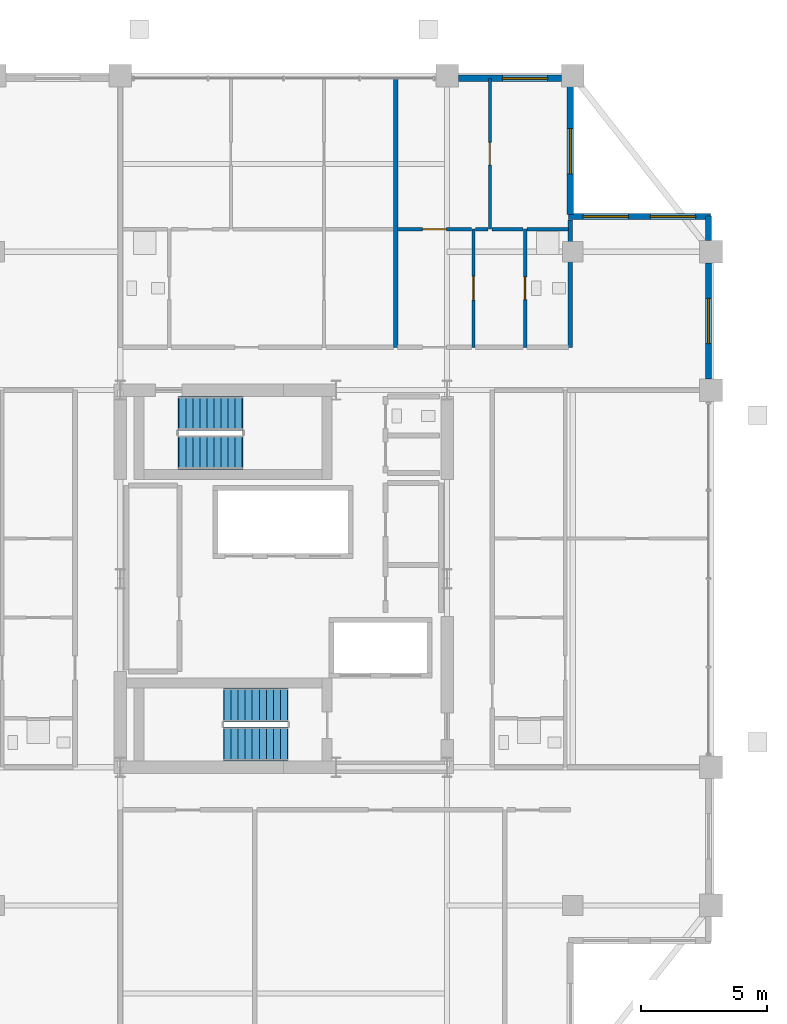
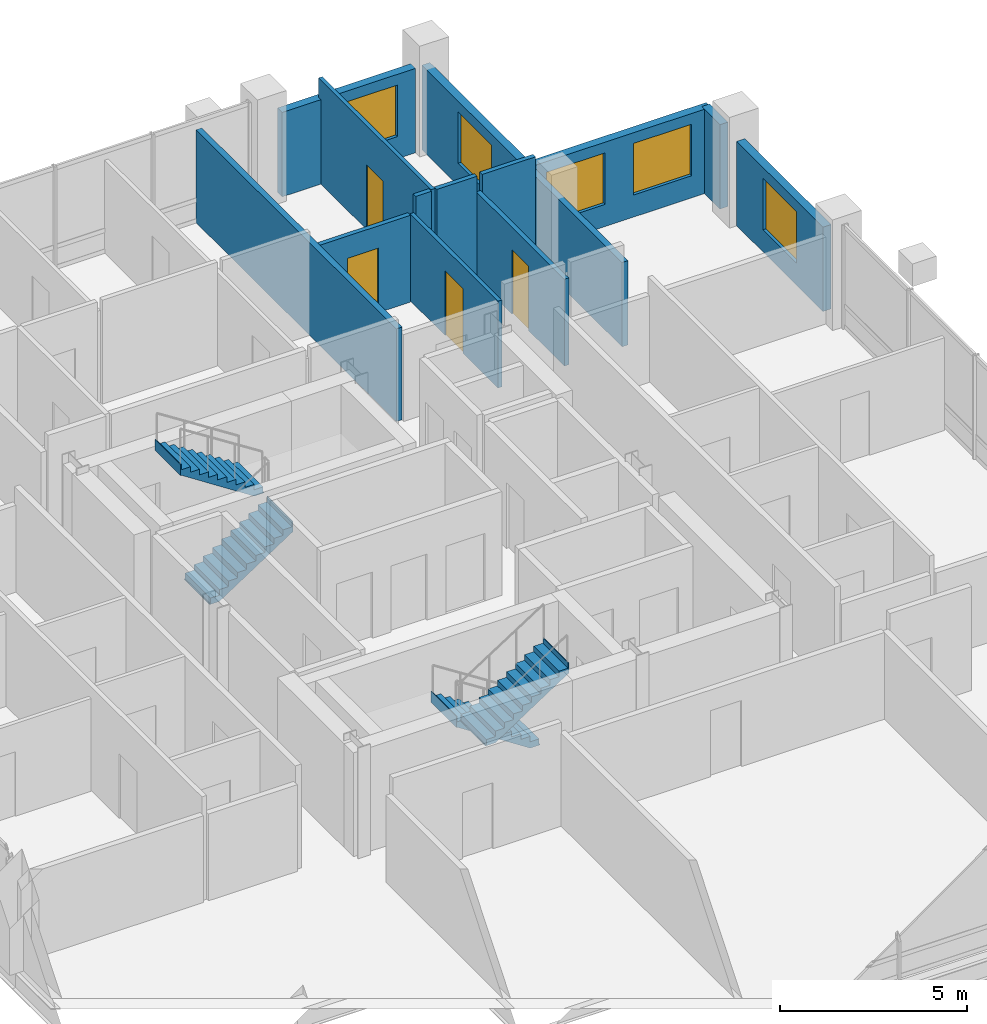
# One storey, part 19 of 21: 14 walls, 5 windows, 4 doors, 4 stair flights, 9 openings, 2 elements without a shape of their own.
"""IFC4 building model written with IfcOpenShell, lengths in metres."""

from ifc_helpers import new_model, si_unit, direction, frame, frame_2d, origin, place, context, subcontext, project, spatial, polyline, rectangle, outline, extrude, material, layer, layer_set, type_object, element, fill, aggregate, save


model = new_model("IFC4")

# Units and contexts
model_context = context("Model", 3, precision=1e-05, world=origin(), true_north=direction((0.0, 1.0)))
body_context = subcontext(model_context, "Body", "Model", "MODEL_VIEW")
ifc_project = project(units=[si_unit("LENGTHUNIT", "METRE"), si_unit("AREAUNIT", "SQUARE_METRE"), si_unit("VOLUMEUNIT", "CUBIC_METRE"), si_unit("PLANEANGLEUNIT", "RADIAN"), si_unit("MASSUNIT", "GRAM", prefix="KILO")], contexts=[model_context])

# Site, building, storey
site_placement = place(None, origin())
site = spatial("IfcSite", under=ifc_project, at=site_placement, CompositionType="ELEMENT")
building_placement = place(site_placement, origin())
building = spatial("IfcBuilding", under=site, at=building_placement, Name="Barlavira Tower and Art Museum", CompositionType="ELEMENT")
storey_placement = place(building_placement, frame((0.0, 0.0, 254.699951171875)))
storey = spatial("IfcBuildingStorey", under=building, at=storey_placement, Name="L66", CompositionType="ELEMENT", Elevation=254.699951171875)

# Wall, opening, door
ifc_material_1 = material(Name="Gypsum acoustic stud partition", Category="gypsum")
ifc_layer_1 = layer(ifc_material_1, 0.1201171875, Name="Gypsum acoustic stud partition")
ifc_layer_set_1 = layer_set([ifc_layer_1], Name="Gypsum acoustic stud partition")
wall_type_1 = type_object("IfcWallType", Name="Apartment Internal Acoustic Partition 120", PredefinedType="PARTITIONING", material=ifc_layer_set_1)
wall_1_placement = place(storey_placement, frame((7.550048828125, 9.199951171875, 0.0), z_axis=(0.0, 0.0, 1.0), x_axis=(0.0, 1.0, 0.0)))
wall_1 = element("IfcWall", 1, at=wall_1_placement, inside=storey, type_object=wall_type_1, Name="L66 Partition Wall 15", PredefinedType="PARTITIONING", context=body_context, shape_type="SweptSolid", body=[
    extrude(rectangle(XDim=4.699951171875, YDim=0.1201171875, at=frame_2d((2.35009765625, 0.0))), origin(), (0.0, 0.0, 1.0), 2.825927734375),
])
opening_1_placement = place(wall_1_placement, frame((1.875, 0.0, 0.0)))
opening_1 = element("IfcOpeningElement", 2, at=opening_1_placement, cuts=wall_1, Name="Opening D-02", PredefinedType="OPENING", context=body_context, shape_type="SweptSolid", body=[
    extrude(rectangle(XDim=0.949951171875, YDim=2.10009765625, at=frame_2d((0.47509765625, 1.050048828125))), frame((0.0, 0.070068359375, 0.0), z_axis=(0.0, -1.0, 0.0), x_axis=(1.0, 0.0, 0.0)), (0.0, 0.0, 1.0), 0.14013671875),
])
ifc_material_2 = material(Name="Engineered coastal hardwood", Category="wood")
door_type_1 = type_object("IfcDoorType", Name="Living and Salon Glazed-Leaf Door 950x2100", OperationType="NOTDEFINED", PredefinedType="DOOR", material=ifc_material_2)
door_1_placement = place(opening_1_placement, origin())
door_1 = element("IfcDoor", 3, at=door_1_placement, inside=storey, type_object=door_type_1, Name="Apartment N2 Kitchen Door", OperationType="SINGLE_SWING_LEFT", OverallHeight=2.10009765625, OverallWidth=0.949951171875, PredefinedType="DOOR", context=body_context, shape_type="SweptSolid", body=[
    extrude(rectangle(XDim=0.949951171875, YDim=2.10009765625, at=frame_2d((0.47509765625, 1.050048828125))), frame((0.0, 0.02490234375, 0.0), z_axis=(0.0, -1.0, 0.0), x_axis=(1.0, 0.0, 0.0)), (0.0, 0.0, 1.0), 0.050048828125),
])
fill(opening_1, door_1)

wall_2_placement = place(storey_placement, frame((8.199951171875, 13.89990234375, 0.0), z_axis=(0.0, 0.0, 1.0), x_axis=(0.0, 1.0, 0.0)))
wall_2 = element("IfcWall", 4, at=wall_2_placement, inside=storey, type_object=wall_type_1, Name="L66 Partition Wall 16", PredefinedType="PARTITIONING", context=body_context, shape_type="SweptSolid", body=[
    extrude(rectangle(XDim=6.0, YDim=0.1201171875, at=frame_2d((3.0, 0.0))), origin(), (0.0, 0.0, 1.0), 3.380126953125),
])
opening_2_placement = place(wall_2_placement, frame((2.550048828125, 0.0, 0.0)))
opening_2 = element("IfcOpeningElement", 5, at=opening_2_placement, cuts=wall_2, Name="Opening D-01", PredefinedType="OPENING", context=body_context, shape_type="SweptSolid", body=[
    extrude(rectangle(XDim=0.89990234375, YDim=2.10009765625, at=frame_2d((0.449951171875, 1.050048828125))), frame((0.0, 0.070068359375, 0.0), z_axis=(0.0, -1.0, 0.0), x_axis=(1.0, 0.0, 0.0)), (0.0, 0.0, 1.0), 0.14013671875),
])
door_type_2 = type_object("IfcDoorType", Name="Internal Bedroom Timber Flush Door 900x2100", OperationType="NOTDEFINED", PredefinedType="DOOR", material=ifc_material_2)
door_2_placement = place(opening_2_placement, origin())
door_2 = element("IfcDoor", 6, at=door_2_placement, inside=storey, type_object=door_type_2, Name="Apartment N2 Bedroom 1 Door", OperationType="SINGLE_SWING_RIGHT", OverallHeight=2.10009765625, OverallWidth=0.89990234375, PredefinedType="DOOR", context=body_context, shape_type="SweptSolid", body=[
    extrude(rectangle(XDim=0.89990234375, YDim=2.10009765625, at=frame_2d((0.449951171875, 1.050048828125))), frame((0.0, 0.02490234375, 0.0), z_axis=(0.0, -1.0, 0.0), x_axis=(1.0, 0.0, 0.0)), (0.0, 0.0, 1.0), 0.050048828125),
])
fill(opening_2, door_2)

# Walls
ifc_layer_2 = layer(ifc_material_1, 0.179931640625, Name="Gypsum acoustic stud partition")
ifc_layer_set_2 = layer_set([ifc_layer_2], Name="Gypsum acoustic stud partition")
wall_type_2 = type_object("IfcWallType", Name="Inter-Tenancy Party Partition Wall 180", PredefinedType="PARTITIONING", material=ifc_layer_set_2)
wall_3_placement = place(storey_placement, frame((4.449951171875, 9.199951171875, 0.0), z_axis=(0.0, 0.0, 1.0), x_axis=(0.0, 1.0, 0.0)))
element("IfcWall", 7, at=wall_3_placement, inside=storey, type_object=wall_type_2, Name="L66 Partition Wall 13", PredefinedType="PARTITIONING", context=body_context, shape_type="SweptSolid", body=[
    extrude(rectangle(XDim=10.699951171875, YDim=0.179931640625, at=frame_2d((5.35009765625, 0.0))), origin(), (0.0, 0.0, 1.0), 3.01806640625),
])
wall_4_placement = place(storey_placement, frame((11.39990234375, 9.199951171875, 0.0), z_axis=(0.0, 0.0, 1.0), x_axis=(0.0, 1.0, 0.0)))
element("IfcWall", 8, at=wall_4_placement, inside=storey, type_object=wall_type_2, Name="L66 Partition Wall 21", PredefinedType="PARTITIONING", context=body_context, shape_type="SweptSolid", body=[
    extrude(rectangle(XDim=5.070068359375, YDim=0.179931640625, at=frame_2d((2.53515625, 0.0))), origin(), (0.0, 0.0, 1.0), 2.748046875),
])

# Wall, opening, door
ifc_layer_3 = layer(ifc_material_1, 0.139892578125, Name="Gypsum acoustic stud partition")
ifc_layer_set_3 = layer_set([ifc_layer_3], Name="Gypsum acoustic stud partition")
wall_type_3 = type_object("IfcWallType", Name="Moisture-Resistant Bathroom Partition 140", PredefinedType="PARTITIONING", material=ifc_layer_set_3)
wall_5_placement = place(storey_placement, frame((9.60009765625, 9.199951171875, 0.0), z_axis=(0.0, 0.0, 1.0), x_axis=(0.0, 1.0, 0.0)))
wall_5 = element("IfcWall", 9, at=wall_5_placement, inside=storey, type_object=wall_type_3, Name="L66 Partition Wall 19", PredefinedType="PARTITIONING", context=body_context, shape_type="SweptSolid", body=[
    extrude(rectangle(XDim=4.699951171875, YDim=0.139892578125, at=frame_2d((2.35009765625, 0.0))), origin(), (0.0, 0.0, 1.0), 2.825927734375),
])
opening_3_placement = place(wall_5_placement, frame((1.89990234375, 0.0, 0.0)))
opening_3 = element("IfcOpeningElement", 10, at=opening_3_placement, cuts=wall_5, Name="Opening D-WC", PredefinedType="OPENING", context=body_context, shape_type="SweptSolid", body=[
    extrude(rectangle(XDim=0.89990234375, YDim=2.10009765625, at=frame_2d((0.449951171875, 1.050048828125))), frame((0.0, 0.080078125, 0.0), z_axis=(0.0, -1.0, 0.0), x_axis=(1.0, 0.0, 0.0)), (0.0, 0.0, 1.0), 0.159912109375),
])
door_type_3 = type_object("IfcDoorType", Name="Accessible Bathroom Flush Door 900x2100", OperationType="NOTDEFINED", PredefinedType="DOOR", material=ifc_material_2)
door_3_placement = place(opening_3_placement, origin())
door_3 = element("IfcDoor", 11, at=door_3_placement, inside=storey, type_object=door_type_3, Name="Apartment N2 Hall Bathroom Door", OperationType="SINGLE_SWING_RIGHT", OverallHeight=2.10009765625, OverallWidth=0.89990234375, PredefinedType="DOOR", context=body_context, shape_type="SweptSolid", body=[
    extrude(rectangle(XDim=0.89990234375, YDim=2.10009765625, at=frame_2d((0.449951171875, 1.050048828125))), frame((0.0, 0.02490234375, 0.0), z_axis=(0.0, -1.0, 0.0), x_axis=(1.0, 0.0, 0.0)), (0.0, 0.0, 1.0), 0.050048828125),
])
fill(opening_3, door_3)

wall_6_placement = place(storey_placement, frame((4.530029296875, 13.89990234375, 0.0), z_axis=(0.0, 0.0, 1.0), x_axis=(1.0, 0.0, 0.0)))
wall_6 = element("IfcWall", 12, at=wall_6_placement, inside=storey, type_object=wall_type_3, Name="L66 Partition Wall 59", PredefinedType="PARTITIONING", context=body_context, shape_type="SweptSolid", body=[
    extrude(rectangle(XDim=2.93994140625, YDim=0.139892578125, at=frame_2d((1.469970703125, 0.0))), origin(), (0.0, 0.0, 1.0), 2.825927734375),
])
opening_4_placement = place(wall_6_placement, frame((0.9951171875, 0.0, 0.0)))
opening_4 = element("IfcOpeningElement", 13, at=opening_4_placement, cuts=wall_6, Name="Opening D-02", PredefinedType="OPENING", context=body_context, shape_type="SweptSolid", body=[
    extrude(rectangle(XDim=0.949951171875, YDim=2.10009765625, at=frame_2d((0.47509765625, 1.050048828125))), frame((0.0, 0.080078125, 0.0), z_axis=(0.0, -1.0, 0.0), x_axis=(1.0, 0.0, 0.0)), (0.0, 0.0, 1.0), 0.159912109375),
])
door_4_placement = place(opening_4_placement, origin())
door_4 = element("IfcDoor", 14, at=door_4_placement, inside=storey, type_object=door_type_1, Name="Apartment N2 Living Lounge Door", OperationType="SINGLE_SWING_LEFT", OverallHeight=2.10009765625, OverallWidth=0.949951171875, PredefinedType="DOOR", context=body_context, shape_type="SweptSolid", body=[
    extrude(rectangle(XDim=0.949951171875, YDim=2.10009765625, at=frame_2d((0.47509765625, 1.050048828125))), frame((0.0, 0.02490234375, 0.0), z_axis=(0.0, -1.0, 0.0), x_axis=(1.0, 0.0, 0.0)), (0.0, 0.0, 1.0), 0.050048828125),
])
fill(opening_4, door_4)

# Walls
wall_7_placement = place(storey_placement, frame((7.6298828125, 13.89990234375, 0.0), z_axis=(0.0, 0.0, 1.0), x_axis=(1.0, 0.0, 0.0)))
element("IfcWall", 15, at=wall_7_placement, inside=storey, type_object=wall_type_3, Name="L66 Partition Wall 60", PredefinedType="PARTITIONING", context=body_context, shape_type="SweptSolid", body=[
    extrude(rectangle(XDim=0.490234375, YDim=0.139892578125, at=frame_2d((0.2451171875, 0.0))), origin(), (0.0, 0.0, 1.0), 3.380126953125),
])
wall_8_placement = place(storey_placement, frame((8.280029296875, 13.89990234375, 0.0), z_axis=(0.0, 0.0, 1.0), x_axis=(1.0, 0.0, 0.0)))
element("IfcWall", 16, at=wall_8_placement, inside=storey, type_object=wall_type_3, Name="L66 Partition Wall 61", PredefinedType="PARTITIONING", context=body_context, shape_type="SweptSolid", body=[
    extrude(rectangle(XDim=1.239990234375, YDim=0.139892578125, at=frame_2d((0.6201171875, 0.0))), origin(), (0.0, 0.0, 1.0), 3.380126953125),
])
wall_9_placement = place(storey_placement, frame((9.679931640625, 13.89990234375, 0.0), z_axis=(0.0, 0.0, 1.0), x_axis=(1.0, 0.0, 0.0)))
element("IfcWall", 17, at=wall_9_placement, inside=storey, type_object=wall_type_3, Name="L66 Partition Wall 62", PredefinedType="PARTITIONING", context=body_context, shape_type="SweptSolid", body=[
    extrude(rectangle(XDim=1.64013671875, YDim=0.139892578125, at=frame_2d((0.820068359375, 0.0))), origin(), (0.0, 0.0, 1.0), 3.380126953125),
])

# Wall, opening, window
ifc_material_3 = material(Name="Precast concrete C40", Category="concrete")
ifc_layer_4 = layer(ifc_material_3, 0.25, Name="Precast concrete C40")
ifc_layer_set_4 = layer_set([ifc_layer_4], Name="Precast concrete C40")
wall_type_4 = type_object("IfcWallType", Name="Notched Corner Spandrel Wall 250 Precast Concrete C40", PredefinedType="SOLIDWALL", material=ifc_layer_set_4)
wall_10_placement = place(storey_placement, frame((11.054931640625, 19.89990234375, 0.0), z_axis=(0.0, 0.0, 1.0), x_axis=(-1.0, 0.0, 0.0)))
wall_10 = element("IfcWall", 18, at=wall_10_placement, inside=storey, type_object=wall_type_4, Name="L66 Coastal Facade Pier Wall CW4-L66-N-1", PredefinedType="SOLIDWALL", context=body_context, shape_type="SweptSolid", body=[
    extrude(rectangle(XDim=4.10986328125, YDim=0.25, at=frame_2d((2.054931640625, 0.0))), origin(), (0.0, 0.0, 1.0), 2.748046875),
])
opening_5_placement = place(wall_10_placement, frame((0.554931640625, 0.0, 0.719970703125)))
opening_5 = element("IfcOpeningElement", 19, at=opening_5_placement, cuts=wall_10, Name="Opening WN-01", PredefinedType="OPENING", context=body_context, shape_type="SweptSolid", body=[
    extrude(rectangle(XDim=1.800048828125, YDim=1.679931640625, at=frame_2d((0.89990234375, 0.83984375))), frame((0.0, 0.135009765625, 0.0), z_axis=(0.0, -1.0, 0.0), x_axis=(1.0, 0.0, 0.0)), (0.0, 0.0, 1.0), 0.27001953125),
])
ifc_material_4 = material(Name="Low-iron coastal laminated glass", Category="glass")
window_type = type_object("IfcWindowType", Name="Recessed Notch Corner Punch Window 1800x1680", PartitioningType="SINGLE_PANEL", PredefinedType="WINDOW", material=ifc_material_4)
window_1_placement = place(opening_5_placement, origin())
window_1 = element("IfcWindow", 20, at=window_1_placement, inside=storey, type_object=window_type, Name="L66 Punched Facade Window EWP-CW4-L66-N-1-1", OverallHeight=1.679931640625, OverallWidth=1.800048828125, PartitioningType="SINGLE_PANEL", PredefinedType="WINDOW", context=body_context, shape_type="SweptSolid", body=[
    extrude(rectangle(XDim=1.800048828125, YDim=1.679931640625, at=frame_2d((0.89990234375, 0.83984375))), frame((0.0, 0.030029296875, 0.0), z_axis=(0.0, -1.0, 0.0), x_axis=(1.0, 0.0, 0.0)), (0.0, 0.0, 1.0), 0.06005859375),
])
fill(opening_5, window_1)

wall_11_placement = place(storey_placement, frame((16.89990234375, 7.945068359375, 0.0), z_axis=(0.0, 0.0, 1.0), x_axis=(0.0, 1.0, 0.0)))
wall_11 = element("IfcWall", 21, at=wall_11_placement, inside=storey, type_object=wall_type_4, Name="L66 Coastal Facade Pier Wall CW4-L66-E-4", PredefinedType="SOLIDWALL", context=body_context, shape_type="SweptSolid", body=[
    extrude(rectangle(XDim=4.60986328125, YDim=0.25, at=frame_2d((2.304931640625, 0.0))), origin(), (0.0, 0.0, 1.0), 2.748046875),
])
opening_6_placement = place(wall_11_placement, frame((1.405029296875, 0.0, 0.719970703125)))
opening_6 = element("IfcOpeningElement", 22, at=opening_6_placement, cuts=wall_11, Name="Opening WN-01", PredefinedType="OPENING", context=body_context, shape_type="SweptSolid", body=[
    extrude(rectangle(XDim=1.800048828125, YDim=1.679931640625, at=frame_2d((0.89990234375, 0.83984375))), frame((0.0, 0.135009765625, 0.0), z_axis=(0.0, -1.0, 0.0), x_axis=(1.0, 0.0, 0.0)), (0.0, 0.0, 1.0), 0.27001953125),
])
window_2_placement = place(opening_6_placement, origin())
window_2 = element("IfcWindow", 23, at=window_2_placement, inside=storey, type_object=window_type, Name="L66 Punched Facade Window EWP-CW4-L66-E-4-1", OverallHeight=1.679931640625, OverallWidth=1.800048828125, PartitioningType="SINGLE_PANEL", PredefinedType="WINDOW", context=body_context, shape_type="SweptSolid", body=[
    extrude(rectangle(XDim=1.800048828125, YDim=1.679931640625, at=frame_2d((0.89990234375, 0.83984375))), frame((0.0, 0.030029296875, 0.0), z_axis=(0.0, -1.0, 0.0), x_axis=(1.0, 0.0, 0.0)), (0.0, 0.0, 1.0), 0.06005859375),
])
fill(opening_6, window_2)

# Wall
wall_12_placement = place(storey_placement, frame((16.89990234375, 13.445068359375, 0.0), z_axis=(0.0, 0.0, 1.0), x_axis=(0.0, 1.0, 0.0)))
element("IfcWall", 24, at=wall_12_placement, inside=storey, type_object=wall_type_4, Name="L66 Coastal Facade Pier Wall CW4-L66-E-5", PredefinedType="SOLIDWALL", context=body_context, shape_type="SweptSolid", body=[
    extrude(rectangle(XDim=0.97998046875, YDim=0.25, at=frame_2d((0.489990234375, 0.0))), origin(), (0.0, 0.0, 1.0), 2.748046875),
])

# Wall, openings, windows
wall_13_placement = place(storey_placement, frame((16.97998046875, 14.39990234375, 0.0), z_axis=(0.0, 0.0, 1.0), x_axis=(-1.0, 0.0, 0.0)))
wall_13 = element("IfcWall", 25, at=wall_13_placement, inside=storey, type_object=wall_type_4, Name="L66 Notch Corner Wall NE1", PredefinedType="SOLIDWALL", context=body_context, shape_type="SweptSolid", body=[
    extrude(rectangle(XDim=5.659912109375, YDim=0.25, at=frame_2d((2.830078125, 0.0))), origin(), (0.0, 0.0, 1.0), 2.748046875),
])
opening_7_placement = place(wall_13_placement, frame((0.594970703125, 0.0, 0.719970703125)))
opening_7 = element("IfcOpeningElement", 26, at=opening_7_placement, cuts=wall_13, Name="Opening WN-01", PredefinedType="OPENING", context=body_context, shape_type="SweptSolid", body=[
    extrude(rectangle(XDim=1.800048828125, YDim=1.679931640625, at=frame_2d((0.89990234375, 0.83984375))), frame((0.0, 0.135009765625, 0.0), z_axis=(0.0, -1.0, 0.0), x_axis=(1.0, 0.0, 0.0)), (0.0, 0.0, 1.0), 0.27001953125),
])
opening_8_placement = place(wall_13_placement, frame((3.264892578125, 0.0, 0.719970703125)))
opening_8 = element("IfcOpeningElement", 27, at=opening_8_placement, cuts=wall_13, Name="Opening WN-01", PredefinedType="OPENING", context=body_context, shape_type="SweptSolid", body=[
    extrude(rectangle(XDim=1.800048828125, YDim=1.679931640625, at=frame_2d((0.89990234375, 0.83984375))), frame((0.0, 0.135009765625, 0.0), z_axis=(0.0, -1.0, 0.0), x_axis=(1.0, 0.0, 0.0)), (0.0, 0.0, 1.0), 0.27001953125),
])
window_3_placement = place(opening_7_placement, origin())
window_3 = element("IfcWindow", 28, at=window_3_placement, inside=storey, type_object=window_type, Name="L66 Punched Facade Window EW-NTC-L66-NE1-1", OverallHeight=1.679931640625, OverallWidth=1.800048828125, PartitioningType="SINGLE_PANEL", PredefinedType="WINDOW", context=body_context, shape_type="SweptSolid", body=[
    extrude(rectangle(XDim=1.800048828125, YDim=1.679931640625, at=frame_2d((0.89990234375, 0.83984375))), frame((0.0, 0.030029296875, 0.0), z_axis=(0.0, -1.0, 0.0), x_axis=(1.0, 0.0, 0.0)), (0.0, 0.0, 1.0), 0.06005859375),
])
fill(opening_7, window_3)
window_4_placement = place(opening_8_placement, origin())
window_4 = element("IfcWindow", 29, at=window_4_placement, inside=storey, type_object=window_type, Name="L66 Punched Facade Window EW-NTC-L66-NE1-2", OverallHeight=1.679931640625, OverallWidth=1.800048828125, PartitioningType="SINGLE_PANEL", PredefinedType="WINDOW", context=body_context, shape_type="SweptSolid", body=[
    extrude(rectangle(XDim=1.800048828125, YDim=1.679931640625, at=frame_2d((0.89990234375, 0.83984375))), frame((0.0, 0.030029296875, 0.0), z_axis=(0.0, -1.0, 0.0), x_axis=(1.0, 0.0, 0.0)), (0.0, 0.0, 1.0), 0.06005859375),
])
fill(opening_8, window_4)

# Wall, opening, window
wall_14_placement = place(storey_placement, frame((11.39990234375, 14.47998046875, 0.0), z_axis=(0.0, 0.0, 1.0), x_axis=(0.0, 1.0, 0.0)))
wall_14 = element("IfcWall", 30, at=wall_14_placement, inside=storey, type_object=wall_type_4, Name="L66 Notch Corner Wall NE2", PredefinedType="SOLIDWALL", context=body_context, shape_type="SweptSolid", body=[
    extrude(rectangle(XDim=5.340087890625, YDim=0.25, at=frame_2d((2.669921875, 0.0))), origin(), (0.0, 0.0, 1.0), 2.748046875),
])
opening_9_placement = place(wall_14_placement, frame((1.614990234375, 0.0, 0.719970703125)))
opening_9 = element("IfcOpeningElement", 31, at=opening_9_placement, cuts=wall_14, Name="Opening WN-01", PredefinedType="OPENING", context=body_context, shape_type="SweptSolid", body=[
    extrude(rectangle(XDim=1.800048828125, YDim=1.679931640625, at=frame_2d((0.89990234375, 0.83984375))), frame((0.0, 0.135009765625, 0.0), z_axis=(0.0, -1.0, 0.0), x_axis=(1.0, 0.0, 0.0)), (0.0, 0.0, 1.0), 0.27001953125),
])
window_5_placement = place(opening_9_placement, origin())
window_5 = element("IfcWindow", 32, at=window_5_placement, inside=storey, type_object=window_type, Name="L66 Punched Facade Window EW-NTC-L66-NE2-1", OverallHeight=1.679931640625, OverallWidth=1.800048828125, PartitioningType="SINGLE_PANEL", PredefinedType="WINDOW", context=body_context, shape_type="SweptSolid", body=[
    extrude(rectangle(XDim=1.800048828125, YDim=1.679931640625, at=frame_2d((0.89990234375, 0.83984375))), frame((0.0, 0.030029296875, 0.0), z_axis=(0.0, -1.0, 0.0), x_axis=(1.0, 0.0, 0.0)), (0.0, 0.0, 1.0), 0.06005859375),
])
fill(opening_9, window_5)

# Stair, stair flights
ifc_material_5 = material(Name="Concrete C45", Category="concrete")
stair_type_1 = type_object("IfcStairType", Name="Tower North Dog-Leg Exit Stair Assembly Concrete C45", PredefinedType="TWO_QUARTER_TURN_STAIR", material=ifc_material_5)
stair_1_placement = place(storey_placement, origin())
stair_1 = element("IfcStair", 33, at=stair_1_placement, inside=storey, type_object=stair_type_1, Name="L66 Tower North Exit Stair ST-T2", PredefinedType="TWO_QUARTER_TURN_STAIR")
ifc_material_6 = material(Name="Precast concrete C45", Category="concrete")
stair_flight_type_1 = type_object("IfcStairFlightType", Name="Tower North Dog-Leg Exit Stair Precast Flight 1350 Concrete C45", PredefinedType="STRAIGHT", material=ifc_material_6)
stair_flight_1_placement = place(storey_placement, frame((-4.169921875, 5.02490234375, 0.0), z_axis=(0.0, 0.0, 1.0), x_axis=(1.0, 0.0, 0.0)))
stair_flight_1 = element("IfcStairFlight", 34, at=stair_flight_1_placement, type_object=stair_flight_type_1, Name="ST-T2 flight 1", NumberOfRisers=10, NumberOfTreads=9, PredefinedType="STRAIGHT", RiserHeight=0.18, TreadLength=0.28, context=body_context, shape_type="SweptSolid", body=[
    extrude(outline(polyline([(-0.02490234375, 0.0), (0.0, 0.0), (0.0, 0.179931640625), (0.280029296875, 0.179931640625), (0.280029296875, 0.360107421875), (0.56005859375, 0.360107421875), (0.56005859375, 0.5400390625), (0.840087890625, 0.5400390625), (0.840087890625, 0.719970703125), (1.1201171875, 0.719970703125), (1.1201171875, 0.89990234375), (1.39990234375, 0.89990234375), (1.39990234375, 1.080078125), (1.679931640625, 1.080078125), (1.679931640625, 1.260009765625), (1.9599609375, 1.260009765625), (1.9599609375, 1.43994140625), (2.239990234375, 1.43994140625), (2.239990234375, 1.6201171875), (2.52001953125, 1.6201171875), (2.52001953125, 1.800048828125), (2.544921875, 1.800048828125), (2.544921875, 1.44189453125), (2.52001953125, 1.44189453125), (0.277099609375, -0.02490234375), (-0.02490234375, -0.02490234375), (-0.02490234375, 0.0)])), frame((0.0, 0.675048828125, 0.0), z_axis=(0.0, -1.0, 0.0), x_axis=(1.0, 0.0, 0.0)), (0.0, 0.0, 1.0), 1.35009765625),
])
stair_flight_2_placement = place(storey_placement, frame((-1.64990234375, 6.574951171875, 1.800048828125), z_axis=(0.0, 0.0, 1.0), x_axis=(-1.0, 0.0, 0.0)))
stair_flight_2 = element("IfcStairFlight", 35, at=stair_flight_2_placement, type_object=stair_flight_type_1, Name="ST-T2 flight 2", NumberOfRisers=10, NumberOfTreads=9, PredefinedType="STRAIGHT", RiserHeight=0.18, TreadLength=0.28, context=body_context, shape_type="SweptSolid", body=[
    extrude(outline(polyline([(-0.02490234375, 0.0), (0.0, 0.0), (0.0, 0.179931640625), (0.280029296875, 0.179931640625), (0.280029296875, 0.360107421875), (0.56005859375, 0.360107421875), (0.56005859375, 0.5400390625), (0.840087890625, 0.5400390625), (0.840087890625, 0.719970703125), (1.1201171875, 0.719970703125), (1.1201171875, 0.89990234375), (1.39990234375, 0.89990234375), (1.39990234375, 1.080078125), (1.679931640625, 1.080078125), (1.679931640625, 1.260009765625), (1.9599609375, 1.260009765625), (1.9599609375, 1.43994140625), (2.239990234375, 1.43994140625), (2.239990234375, 1.6201171875), (2.52001953125, 1.6201171875), (2.52001953125, 1.800048828125), (2.544921875, 1.800048828125), (2.544921875, 1.44189453125), (2.52001953125, 1.44189453125), (0.277099609375, -0.02490234375), (-0.02490234375, -0.02490234375), (-0.02490234375, 0.0)])), frame((0.0, 0.675048828125, 0.0), z_axis=(0.0, -1.0, 0.0), x_axis=(1.0, 0.0, 0.0)), (0.0, 0.0, 1.0), 1.35009765625),
])
aggregate(stair_1, [stair_flight_1, stair_flight_2])

stair_type_2 = type_object("IfcStairType", Name="Tower South Dog-Leg Exit Stair Assembly Concrete C45", PredefinedType="TWO_QUARTER_TURN_STAIR", material=ifc_material_5)
stair_2_placement = place(storey_placement, origin())
stair_2 = element("IfcStair", 36, at=stair_2_placement, inside=storey, type_object=stair_type_2, Name="L66 Tower South Exit Stair ST-T1", PredefinedType="TWO_QUARTER_TURN_STAIR")
stair_flight_type_2 = type_object("IfcStairFlightType", Name="Tower South Dog-Leg Exit Stair Precast Flight 1350 Concrete C45", PredefinedType="STRAIGHT", material=ifc_material_6)
stair_flight_3_placement = place(storey_placement, frame((0.14990234375, -5.02490234375, 0.0), z_axis=(0.0, 0.0, 1.0), x_axis=(-1.0, 0.0, 0.0)))
stair_flight_3 = element("IfcStairFlight", 37, at=stair_flight_3_placement, type_object=stair_flight_type_2, Name="ST-T1 flight 1", NumberOfRisers=10, NumberOfTreads=9, PredefinedType="STRAIGHT", RiserHeight=0.18, TreadLength=0.28, context=body_context, shape_type="SweptSolid", body=[
    extrude(outline(polyline([(-0.02490234375, 0.0), (0.0, 0.0), (0.0, 0.179931640625), (0.280029296875, 0.179931640625), (0.280029296875, 0.360107421875), (0.56005859375, 0.360107421875), (0.56005859375, 0.5400390625), (0.840087890625, 0.5400390625), (0.840087890625, 0.719970703125), (1.1201171875, 0.719970703125), (1.1201171875, 0.89990234375), (1.39990234375, 0.89990234375), (1.39990234375, 1.080078125), (1.679931640625, 1.080078125), (1.679931640625, 1.260009765625), (1.9599609375, 1.260009765625), (1.9599609375, 1.43994140625), (2.239990234375, 1.43994140625), (2.239990234375, 1.6201171875), (2.52001953125, 1.6201171875), (2.52001953125, 1.800048828125), (2.544921875, 1.800048828125), (2.544921875, 1.44189453125), (2.52001953125, 1.44189453125), (0.277099609375, -0.02490234375), (-0.02490234375, -0.02490234375), (-0.02490234375, 0.0)])), frame((0.0, 0.675048828125, 0.0), z_axis=(0.0, -1.0, 0.0), x_axis=(1.0, 0.0, 0.0)), (0.0, 0.0, 1.0), 1.35009765625),
])
stair_flight_4_placement = place(storey_placement, frame((-2.3701171875, -6.574951171875, 1.800048828125), z_axis=(0.0, 0.0, 1.0), x_axis=(1.0, 0.0, 0.0)))
stair_flight_4 = element("IfcStairFlight", 38, at=stair_flight_4_placement, type_object=stair_flight_type_2, Name="ST-T1 flight 2", NumberOfRisers=10, NumberOfTreads=9, PredefinedType="STRAIGHT", RiserHeight=0.18, TreadLength=0.28, context=body_context, shape_type="SweptSolid", body=[
    extrude(outline(polyline([(-0.02490234375, 0.0), (0.0, 0.0), (0.0, 0.179931640625), (0.280029296875, 0.179931640625), (0.280029296875, 0.360107421875), (0.56005859375, 0.360107421875), (0.56005859375, 0.5400390625), (0.840087890625, 0.5400390625), (0.840087890625, 0.719970703125), (1.1201171875, 0.719970703125), (1.1201171875, 0.89990234375), (1.39990234375, 0.89990234375), (1.39990234375, 1.080078125), (1.679931640625, 1.080078125), (1.679931640625, 1.260009765625), (1.9599609375, 1.260009765625), (1.9599609375, 1.43994140625), (2.239990234375, 1.43994140625), (2.239990234375, 1.6201171875), (2.52001953125, 1.6201171875), (2.52001953125, 1.800048828125), (2.544921875, 1.800048828125), (2.544921875, 1.44189453125), (2.52001953125, 1.44189453125), (0.277099609375, -0.02490234375), (-0.02490234375, -0.02490234375), (-0.02490234375, 0.0)])), frame((0.0, 0.675048828125, 0.0), z_axis=(0.0, -1.0, 0.0), x_axis=(1.0, 0.0, 0.0)), (0.0, 0.0, 1.0), 1.35009765625),
])
aggregate(stair_2, [stair_flight_3, stair_flight_4])

save(model, "model.ifc")
